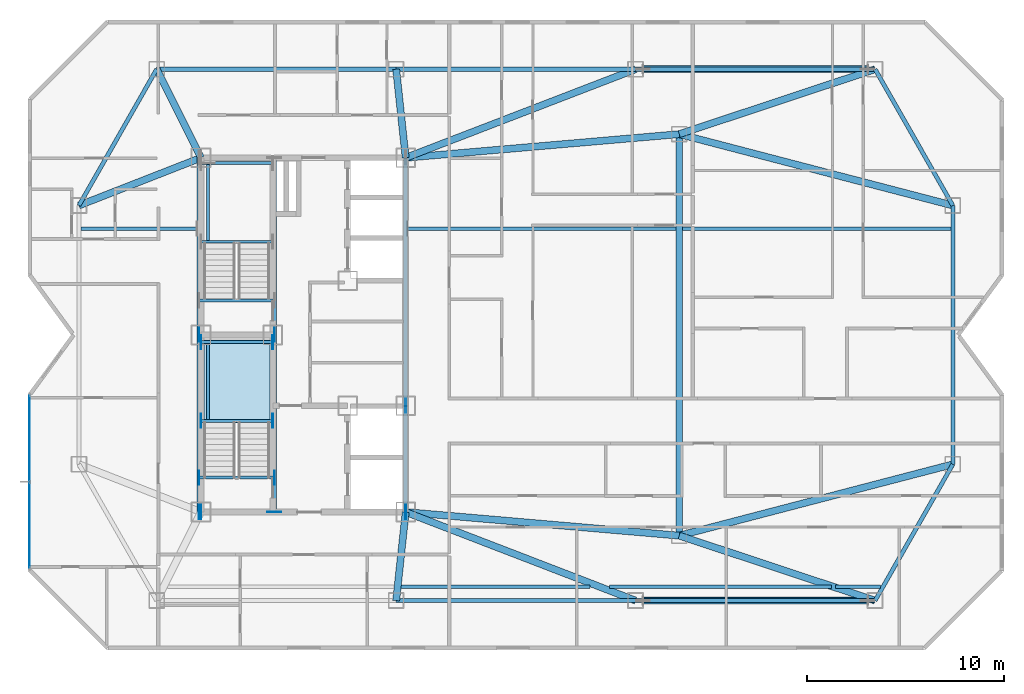
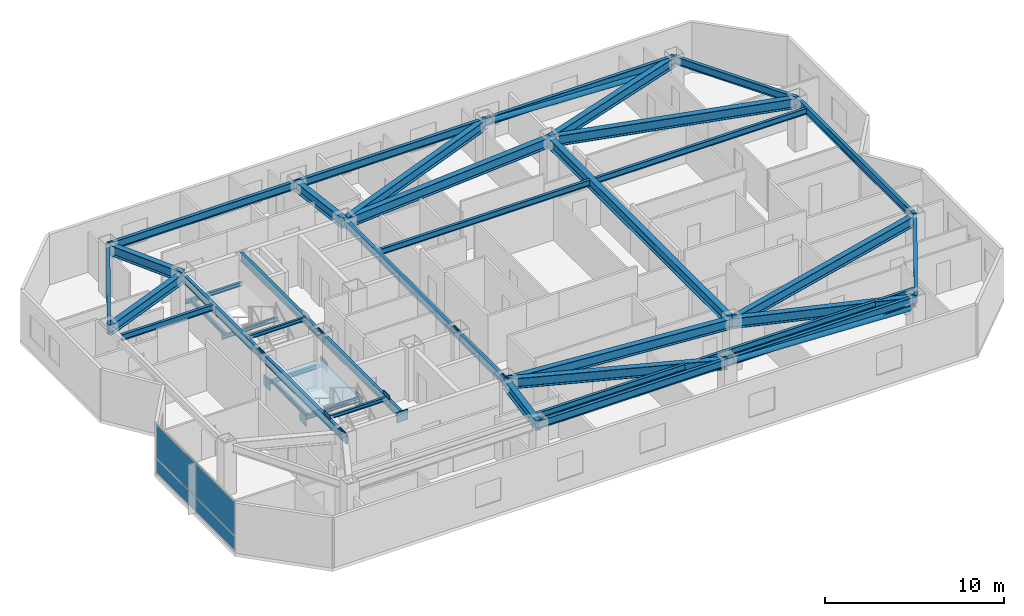
# One storey, part 5 of 14: 42 beams, 18 plates, 2 members, 1 slab, 2 elements without a shape of their own.
"""IFC4 building model written with IfcOpenShell, lengths in metres."""

from ifc_helpers import new_model, si_unit, direction, frame, origin, origin_2d, place, context, subcontext, project, spatial, polyline, rectangle, hollow_circle, i_section, outline, extrude, material, layer, layer_set, material_profile, profile_set, type_object, element, aggregate, save


model = new_model("IFC4")

# Units and contexts
model_context = context("Model", 3, precision=1e-05, world=origin(), true_north=direction((0.0, 1.0)))
body_context = subcontext(model_context, "Body", "Model", "MODEL_VIEW")
ifc_project = project(units=[si_unit("LENGTHUNIT", "METRE"), si_unit("AREAUNIT", "SQUARE_METRE"), si_unit("VOLUMEUNIT", "CUBIC_METRE"), si_unit("PLANEANGLEUNIT", "RADIAN"), si_unit("MASSUNIT", "GRAM", prefix="KILO")], contexts=[model_context])

# Site, building, storey
site_placement = place(None, origin())
site = spatial("IfcSite", under=ifc_project, at=site_placement, CompositionType="ELEMENT")
building_placement = place(site_placement, origin())
building = spatial("IfcBuilding", under=site, at=building_placement, Name="Khamvora Tower", CompositionType="ELEMENT")
storey_placement = place(building_placement, frame((0.0, 0.0, 253.699951171875)))
storey = spatial("IfcBuildingStorey", under=building, at=storey_placement, Name="L65", CompositionType="ELEMENT", Elevation=253.699951171875)

# Beams
ifc_material_1 = material(Name="Steel S355", Category="steel")
ifc_material_profile_1 = material_profile(ifc_material_1, i_section(OverallWidth=0.177978515625, OverallDepth=0.406982421875, WebThickness=0.008056640625, FlangeThickness=0.012939453125, FilletRadius=0.010009765625, at=origin_2d()), Name="W410x60")
ifc_profile_set_1 = profile_set([ifc_material_profile_1], Name="Steel S355")
beam_type_1 = type_object("IfcBeamType", Name="BM-JS-W410x60", PredefinedType="JOIST", material=ifc_profile_set_1)
beam_1_placement = place(storey_placement, frame((39.166015625, 15.199951171875, 3.22607421875), z_axis=(1.0, 0.0, 0.0), x_axis=(0.0, 1.0, 0.0)))
element("IfcBeam", 1, at=beam_1_placement, inside=storey, type_object=beam_type_1, Name="L65 secondary floor joist 02", PredefinedType="JOIST", context=body_context, shape_type="SweptSolid", body=[
    extrude(i_section(OverallWidth=0.177978515625, OverallDepth=0.406982421875, WebThickness=0.008056640625, FlangeThickness=0.012939453125, FilletRadius=0.010009765625, at=origin_2d()), origin(), (0.0, 0.0, 1.0), 9.611083984375),
])
beam_2_placement = place(storey_placement, frame((49.75390625, 15.199951171875, 3.22607421875), z_axis=(1.0, 0.0, 0.0), x_axis=(0.0, 1.0, 0.0)))
element("IfcBeam", 2, at=beam_2_placement, inside=storey, type_object=beam_type_1, Name="L65 secondary floor joist 03", PredefinedType="JOIST", context=body_context, shape_type="SweptSolid", body=[
    extrude(i_section(OverallWidth=0.177978515625, OverallDepth=0.406982421875, WebThickness=0.008056640625, FlangeThickness=0.012939453125, FilletRadius=0.010009765625, at=origin_2d()), origin(), (0.0, 0.0, 1.0), 11.2900390625),
])
beam_3_placement = place(storey_placement, frame((61.23388671875, 15.199951171875, 3.22607421875), z_axis=(1.0, 0.0, 0.0), x_axis=(0.0, 1.0, 0.0)))
element("IfcBeam", 3, at=beam_3_placement, inside=storey, type_object=beam_type_1, Name="L65 secondary floor joist 04", PredefinedType="JOIST", context=body_context, shape_type="SweptSolid", body=[
    extrude(i_section(OverallWidth=0.177978515625, OverallDepth=0.406982421875, WebThickness=0.008056640625, FlangeThickness=0.012939453125, FilletRadius=0.010009765625, at=origin_2d()), origin(), (0.0, 0.0, 1.0), 2.300048828125),
])
beam_4_placement = place(storey_placement, frame((22.89892578125, 33.39990234375, 3.22607421875), z_axis=(1.0, 0.0, 0.0), x_axis=(0.0, 1.0, 0.0)))
element("IfcBeam", 4, at=beam_4_placement, inside=storey, type_object=beam_type_1, Name="L65 secondary floor joist 05", PredefinedType="JOIST", context=body_context, shape_type="SweptSolid", body=[
    extrude(i_section(OverallWidth=0.177978515625, OverallDepth=0.406982421875, WebThickness=0.008056640625, FlangeThickness=0.012939453125, FilletRadius=0.010009765625, at=origin_2d()), origin(), (0.0, 0.0, 1.0), 5.901123046875),
])
beam_5_placement = place(storey_placement, frame((39.4990234375, 33.39990234375, 3.22607421875), z_axis=(1.0, 0.0, 0.0), x_axis=(0.0, 1.0, 0.0)))
element("IfcBeam", 5, at=beam_5_placement, inside=storey, type_object=beam_type_1, Name="L65 secondary floor joist 06", PredefinedType="JOIST", context=body_context, shape_type="SweptSolid", body=[
    extrude(i_section(OverallWidth=0.177978515625, OverallDepth=0.406982421875, WebThickness=0.008056640625, FlangeThickness=0.012939453125, FilletRadius=0.010009765625, at=origin_2d()), origin(), (0.0, 0.0, 1.0), 13.6279296875),
])
beam_6_placement = place(storey_placement, frame((53.471923828125, 33.39990234375, 3.22607421875), z_axis=(1.0, 0.0, 0.0), x_axis=(0.0, 1.0, 0.0)))
element("IfcBeam", 6, at=beam_6_placement, inside=storey, type_object=beam_type_1, Name="L65 secondary floor joist 07", PredefinedType="JOIST", context=body_context, shape_type="SweptSolid", body=[
    extrude(i_section(OverallWidth=0.177978515625, OverallDepth=0.406982421875, WebThickness=0.008056640625, FlangeThickness=0.012939453125, FilletRadius=0.010009765625, at=origin_2d()), origin(), (0.0, 0.0, 1.0), 13.628173828125),
])
ifc_material_profile_2 = material_profile(ifc_material_1, i_section(OverallWidth=0.14697265625, OverallDepth=0.261962890625, WebThickness=0.007080078125, FlangeThickness=0.010986328125, FilletRadius=0.008056640625, at=origin_2d()), Name="W250x39")
ifc_profile_set_2 = profile_set([ifc_material_profile_2], Name="Steel S355")
beam_type_2 = type_object("IfcBeamType", Name="BM-LN-W250x39", PredefinedType="LINTEL", material=ifc_profile_set_2)
for number, where, z_axis, x_axis, name in (
    (7, (29.0, 23.635009765625, 1.494140625), (1.0, 0.0, 0.0), (0.0, 1.0, 0.0), "L65 ST-01 half-landing support beam 1.1"),
    (8, (29.0, 27.6298828125, 1.494140625), (1.0, 0.0, 0.0), (0.0, 1.0, 0.0), "L65 ST-01 half-landing support beam 1.2"),
):
    element("IfcBeam", number, at=place(storey_placement, frame(where, z_axis=z_axis, x_axis=x_axis)), inside=storey, type_object=beam_type_2, Name=name, PredefinedType="LINTEL", context=body_context, shape_type="SweptSolid", body=[
        extrude(i_section(OverallWidth=0.14697265625, OverallDepth=0.261962890625, WebThickness=0.007080078125, FlangeThickness=0.010986328125, FilletRadius=0.008056640625, at=origin_2d()), origin(), (0.0, 0.0, 1.0), 3.64990234375),
    ])
beam_7_placement = place(storey_placement, frame((29.35009765625, 23.635009765625, 1.494140625), z_axis=(0.0, 1.0, 0.0), x_axis=(-1.0, 0.0, 0.0)))
element("IfcBeam", 9, at=beam_7_placement, inside=storey, type_object=beam_type_2, Name="L65 ST-01 half-landing edge stringer 1", PredefinedType="LINTEL", context=body_context, shape_type="SweptSolid", body=[
    extrude(i_section(OverallWidth=0.14697265625, OverallDepth=0.261962890625, WebThickness=0.007080078125, FlangeThickness=0.010986328125, FilletRadius=0.008056640625, at=origin_2d()), origin(), (0.0, 0.0, 1.0), 3.994873046875),
])
for number, where, z_axis, x_axis, name in (
    (10, (29.0, 32.735107421875, 1.494140625), (1.0, 0.0, 0.0), (0.0, 1.0, 0.0), "L65 ST-02 half-landing support beam 1.1"),
    (11, (29.0, 36.72998046875, 1.494140625), (1.0, 0.0, 0.0), (0.0, 1.0, 0.0), "L65 ST-02 half-landing support beam 1.2"),
):
    element("IfcBeam", number, at=place(storey_placement, frame(where, z_axis=z_axis, x_axis=x_axis)), inside=storey, type_object=beam_type_2, Name=name, PredefinedType="LINTEL", context=body_context, shape_type="SweptSolid", body=[
        extrude(i_section(OverallWidth=0.14697265625, OverallDepth=0.261962890625, WebThickness=0.007080078125, FlangeThickness=0.010986328125, FilletRadius=0.008056640625, at=origin_2d()), origin(), (0.0, 0.0, 1.0), 3.64990234375),
    ])
beam_8_placement = place(storey_placement, frame((29.35009765625, 32.735107421875, 1.494140625), z_axis=(0.0, 1.0, 0.0), x_axis=(-1.0, 0.0, 0.0)))
element("IfcBeam", 12, at=beam_8_placement, inside=storey, type_object=beam_type_2, Name="L65 ST-02 half-landing edge stringer 1", PredefinedType="LINTEL", context=body_context, shape_type="SweptSolid", body=[
    extrude(i_section(OverallWidth=0.14697265625, OverallDepth=0.261962890625, WebThickness=0.007080078125, FlangeThickness=0.010986328125, FilletRadius=0.008056640625, at=origin_2d()), origin(), (0.0, 0.0, 1.0), 3.994873046875),
])
for number, where, z_axis, x_axis, name in (
    (13, (28.89990234375, 20.75, 3.303955078125), (1.0, 0.0, 0.0), (0.0, 1.0, 0.0), "L65 exit stair ST-01 landing trimmer beam"),
    (14, (28.89990234375, 29.75, 3.303955078125), (1.0, 0.0, 0.0), (0.0, 1.0, 0.0), "L65 exit stair ST-02 landing trimmer beam"),
):
    element("IfcBeam", number, at=place(storey_placement, frame(where, z_axis=z_axis, x_axis=x_axis)), inside=storey, type_object=beam_type_2, Name=name, PredefinedType="LINTEL", context=body_context, shape_type="SweptSolid", body=[
        extrude(i_section(OverallWidth=0.14697265625, OverallDepth=0.261962890625, WebThickness=0.007080078125, FlangeThickness=0.010986328125, FilletRadius=0.008056640625, at=origin_2d()), origin(), (0.0, 0.0, 1.0), 3.830078125),
    ])
ifc_material_profile_3 = material_profile(ifc_material_1, i_section(OverallWidth=0.35498046875, OverallDepth=0.695068359375, WebThickness=0.014892578125, FlangeThickness=0.02490234375, FilletRadius=0.01611328125, at=origin_2d()), Name="W690x217")
ifc_profile_set_3 = profile_set([ifc_material_profile_3], Name="Steel S355")
beam_type_3 = type_object("IfcBeamType", Name="BM-PG-W690x217", PredefinedType="BEAM", material=ifc_profile_set_3)
beam_9_placement = place(storey_placement, frame((53.300048828125, 17.800048828125, 3.08203125), z_axis=(0.0, 1.0, 0.0), x_axis=(-1.0, 0.0, 0.0)))
element("IfcBeam", 15, at=beam_9_placement, inside=storey, type_object=beam_type_3, Name="L65 longitudinal frame girder M1-M2", PredefinedType="BEAM", context=body_context, shape_type="SweptSolid", body=[
    extrude(i_section(OverallWidth=0.35498046875, OverallDepth=0.695068359375, WebThickness=0.014892578125, FlangeThickness=0.02490234375, FilletRadius=0.01611328125, at=origin_2d()), origin(), (0.0, 0.0, 1.0), 20.39990234375),
])
beam_10_placement = place(storey_placement, frame((39.39990234375, 19.0, 3.08203125), z_axis=(-0.106700735484, -0.994291181218, 0.0), x_axis=(0.994291181218, -0.106700735484, 0.0)))
element("IfcBeam", 16, at=beam_10_placement, inside=storey, type_object=beam_type_3, Name="L65 primary floor girder S2", PredefinedType="BEAM", context=body_context, shape_type="SweptSolid", body=[
    extrude(i_section(OverallWidth=0.35498046875, OverallDepth=0.695068359375, WebThickness=0.014892578125, FlangeThickness=0.02490234375, FilletRadius=0.01611328125, at=origin_2d()), origin(), (0.0, 0.0, 1.0), 4.52587890625),
])
beam_11_placement = place(storey_placement, frame((39.39990234375, 19.0, 3.08203125), z_axis=(0.933171601475, -0.359431164759, 0.0), x_axis=(0.359431164759, 0.933171601475, 0.0)))
element("IfcBeam", 17, at=beam_11_placement, inside=storey, type_object=beam_type_3, Name="L65 primary floor girder S3", PredefinedType="BEAM", context=body_context, shape_type="SweptSolid", body=[
    extrude(i_section(OverallWidth=0.35498046875, OverallDepth=0.695068359375, WebThickness=0.014892578125, FlangeThickness=0.02490234375, FilletRadius=0.01611328125, at=origin_2d()), origin(), (0.0, 0.0, 1.0), 12.519775390625),
])
beam_12_placement = place(storey_placement, frame((53.300048828125, 17.800048828125, 3.08203125), z_axis=(0.949157330029, -0.314802101092, 0.0), x_axis=(0.314802101092, 0.949157330029, 0.0)))
element("IfcBeam", 18, at=beam_12_placement, inside=storey, type_object=beam_type_3, Name="L65 primary floor girder S4", PredefinedType="BEAM", context=body_context, shape_type="SweptSolid", body=[
    extrude(i_section(OverallWidth=0.35498046875, OverallDepth=0.695068359375, WebThickness=0.014892578125, FlangeThickness=0.02490234375, FilletRadius=0.01611328125, at=origin_2d()), origin(), (0.0, 0.0, 1.0), 10.48291015625),
])
beam_13_placement = place(storey_placement, frame((29.0, 37.0, 3.08203125), z_axis=(-0.4472135955, 0.894427191, 0.0), x_axis=(-0.894427191, -0.4472135955, 0.0)))
element("IfcBeam", 19, at=beam_13_placement, inside=storey, type_object=beam_type_3, Name="L65 primary floor girder N1", PredefinedType="BEAM", context=body_context, shape_type="SweptSolid", body=[
    extrude(i_section(OverallWidth=0.35498046875, OverallDepth=0.695068359375, WebThickness=0.014892578125, FlangeThickness=0.02490234375, FilletRadius=0.01611328125, at=origin_2d()), origin(), (0.0, 0.0, 1.0), 5.03125),
])
beam_14_placement = place(storey_placement, frame((39.39990234375, 37.0, 3.08203125), z_axis=(-0.106700735484, 0.994291181218, 0.0), x_axis=(-0.994291181218, -0.106700735484, 0.0)))
element("IfcBeam", 20, at=beam_14_placement, inside=storey, type_object=beam_type_3, Name="L65 primary floor girder N2", PredefinedType="BEAM", context=body_context, shape_type="SweptSolid", body=[
    extrude(i_section(OverallWidth=0.35498046875, OverallDepth=0.695068359375, WebThickness=0.014892578125, FlangeThickness=0.02490234375, FilletRadius=0.01611328125, at=origin_2d()), origin(), (0.0, 0.0, 1.0), 4.52587890625),
])
beam_15_placement = place(storey_placement, frame((39.39990234375, 37.0, 3.08203125), z_axis=(0.933171601475, 0.359431164759, 0.0), x_axis=(-0.359431164759, 0.933171601475, 0.0)))
element("IfcBeam", 21, at=beam_15_placement, inside=storey, type_object=beam_type_3, Name="L65 primary floor girder N3", PredefinedType="BEAM", context=body_context, shape_type="SweptSolid", body=[
    extrude(i_section(OverallWidth=0.35498046875, OverallDepth=0.695068359375, WebThickness=0.014892578125, FlangeThickness=0.02490234375, FilletRadius=0.01611328125, at=origin_2d()), origin(), (0.0, 0.0, 1.0), 12.519775390625),
])
beam_16_placement = place(storey_placement, frame((53.300048828125, 38.199951171875, 3.08203125), z_axis=(0.949157330029, 0.314802101092, 0.0), x_axis=(-0.314802101092, 0.949157330029, 0.0)))
element("IfcBeam", 22, at=beam_16_placement, inside=storey, type_object=beam_type_3, Name="L65 primary floor girder N4", PredefinedType="BEAM", context=body_context, shape_type="SweptSolid", body=[
    extrude(i_section(OverallWidth=0.35498046875, OverallDepth=0.695068359375, WebThickness=0.014892578125, FlangeThickness=0.02490234375, FilletRadius=0.01611328125, at=origin_2d()), origin(), (0.0, 0.0, 1.0), 10.48291015625),
])
beam_17_placement = place(storey_placement, frame((29.0, 37.0, 3.08203125), z_axis=(-0.931294712743, -0.36426660294, 0.0), x_axis=(0.36426660294, -0.931294712743, 0.0)))
element("IfcBeam", 23, at=beam_17_placement, inside=storey, type_object=beam_type_3, Name="L65 primary floor girder W2", PredefinedType="BEAM", context=body_context, shape_type="SweptSolid", body=[
    extrude(i_section(OverallWidth=0.35498046875, OverallDepth=0.695068359375, WebThickness=0.014892578125, FlangeThickness=0.02490234375, FilletRadius=0.01611328125, at=origin_2d()), origin(), (0.0, 0.0, 1.0), 6.6572265625),
])
for number, where, z_axis, x_axis, name in (
    (24, (53.300048828125, 17.800048828125, 3.08203125), (0.967635318494, 0.252352710314, 0.0), (-0.252352710314, 0.967635318494, 0.0), "L65 primary floor girder E1"),
    (25, (53.300048828125, 38.199951171875, 3.08203125), (0.967635318494, -0.252352710314, 0.0), (0.252352710314, 0.967635318494, 0.0), "L65 primary floor girder E2"),
):
    element("IfcBeam", number, at=place(storey_placement, frame(where, z_axis=z_axis, x_axis=x_axis)), inside=storey, type_object=beam_type_3, Name=name, PredefinedType="BEAM", context=body_context, shape_type="SweptSolid", body=[
        extrude(i_section(OverallWidth=0.35498046875, OverallDepth=0.695068359375, WebThickness=0.014892578125, FlangeThickness=0.02490234375, FilletRadius=0.01611328125, at=origin_2d()), origin(), (0.0, 0.0, 1.0), 14.36474609375),
    ])
for number, where, z_axis, x_axis, name in (
    (26, (39.39990234375, 19.0, 3.08203125), (0.996294564212, -0.08600663534, 0.0), (0.08600663534, 0.996294564212, 0.0), "L65 primary floor girder M1"),
    (27, (39.39990234375, 37.0, 3.08203125), (0.996294564212, 0.08600663534, 0.0), (-0.08600663534, 0.996294564212, 0.0), "L65 primary floor girder M2"),
):
    element("IfcBeam", number, at=place(storey_placement, frame(where, z_axis=z_axis, x_axis=x_axis)), inside=storey, type_object=beam_type_3, Name=name, PredefinedType="BEAM", context=body_context, shape_type="SweptSolid", body=[
        extrude(i_section(OverallWidth=0.35498046875, OverallDepth=0.695068359375, WebThickness=0.014892578125, FlangeThickness=0.02490234375, FilletRadius=0.01611328125, at=origin_2d()), origin(), (0.0, 0.0, 1.0), 13.951904296875),
    ])
ifc_material_profile_4 = material_profile(ifc_material_1, i_section(OverallWidth=0.208984375, OverallDepth=0.532958984375, WebThickness=0.010009765625, FlangeThickness=0.01611328125, FilletRadius=0.013916015625, at=origin_2d()), Name="W530x92")
ifc_profile_set_4 = profile_set([ifc_material_profile_4], Name="Steel S355")
beam_type_4 = type_object("IfcBeamType", Name="BM-SP-W530x92", PredefinedType="SPANDREL", material=ifc_profile_set_4)
beam_18_placement = place(storey_placement, frame((38.9169921875, 14.5, 3.1630859375), z_axis=(1.0, 0.0, 0.0), x_axis=(0.0, 1.0, 0.0)))
element("IfcBeam", 28, at=beam_18_placement, inside=storey, type_object=beam_type_4, Name="L65 perimeter spandrel beam S2-S3", PredefinedType="SPANDREL", context=body_context, shape_type="SweptSolid", body=[
    extrude(i_section(OverallWidth=0.208984375, OverallDepth=0.532958984375, WebThickness=0.010009765625, FlangeThickness=0.01611328125, FilletRadius=0.013916015625, at=origin_2d()), origin(), (0.0, 0.0, 1.0), 12.166015625),
])
beam_19_placement = place(storey_placement, frame((51.0830078125, 14.5, 3.1630859375), z_axis=(1.0, 0.0, 0.0), x_axis=(0.0, 1.0, 0.0)))
element("IfcBeam", 29, at=beam_19_placement, inside=storey, type_object=beam_type_4, Name="L65 perimeter spandrel beam S3-S4", PredefinedType="SPANDREL", context=body_context, shape_type="SweptSolid", body=[
    extrude(i_section(OverallWidth=0.208984375, OverallDepth=0.532958984375, WebThickness=0.010009765625, FlangeThickness=0.01611328125, FilletRadius=0.013916015625, at=origin_2d()), origin(), (0.0, 0.0, 1.0), 12.1669921875),
])
beam_20_placement = place(storey_placement, frame((63.25, 14.5, 3.1630859375), z_axis=(0.495456118564, 0.868632968853, 0.0), x_axis=(-0.868632968853, 0.495456118564, 0.0)))
element("IfcBeam", 30, at=beam_20_placement, inside=storey, type_object=beam_type_4, Name="L65 perimeter spandrel beam S4-E1", PredefinedType="SPANDREL", context=body_context, shape_type="SweptSolid", body=[
    extrude(i_section(OverallWidth=0.208984375, OverallDepth=0.532958984375, WebThickness=0.010009765625, FlangeThickness=0.01611328125, FilletRadius=0.013916015625, at=origin_2d()), origin(), (0.0, 0.0, 1.0), 7.972412109375),
])
beam_21_placement = place(storey_placement, frame((67.199951171875, 21.425048828125, 3.1630859375), z_axis=(0.0, 1.0, 0.0), x_axis=(-1.0, 0.0, 0.0)))
element("IfcBeam", 31, at=beam_21_placement, inside=storey, type_object=beam_type_4, Name="L65 perimeter spandrel beam E1-E2", PredefinedType="SPANDREL", context=body_context, shape_type="SweptSolid", body=[
    extrude(i_section(OverallWidth=0.208984375, OverallDepth=0.532958984375, WebThickness=0.010009765625, FlangeThickness=0.01611328125, FilletRadius=0.013916015625, at=origin_2d()), origin(), (0.0, 0.0, 1.0), 13.14990234375),
])
beam_22_placement = place(storey_placement, frame((67.199951171875, 34.574951171875, 3.1630859375), z_axis=(-0.495456118564, 0.868632968853, 0.0), x_axis=(-0.868632968853, -0.495456118564, 0.0)))
element("IfcBeam", 32, at=beam_22_placement, inside=storey, type_object=beam_type_4, Name="L65 perimeter spandrel beam E2-N4", PredefinedType="SPANDREL", context=body_context, shape_type="SweptSolid", body=[
    extrude(i_section(OverallWidth=0.208984375, OverallDepth=0.532958984375, WebThickness=0.010009765625, FlangeThickness=0.01611328125, FilletRadius=0.013916015625, at=origin_2d()), origin(), (0.0, 0.0, 1.0), 7.972412109375),
])
beam_23_placement = place(storey_placement, frame((63.25, 41.5, 3.1630859375), z_axis=(-1.0, 0.0, 0.0), x_axis=(0.0, -1.0, 0.0)))
element("IfcBeam", 33, at=beam_23_placement, inside=storey, type_object=beam_type_4, Name="L65 perimeter spandrel beam N4-N3", PredefinedType="SPANDREL", context=body_context, shape_type="SweptSolid", body=[
    extrude(i_section(OverallWidth=0.208984375, OverallDepth=0.532958984375, WebThickness=0.010009765625, FlangeThickness=0.01611328125, FilletRadius=0.013916015625, at=origin_2d()), origin(), (0.0, 0.0, 1.0), 12.1669921875),
])
beam_24_placement = place(storey_placement, frame((51.0830078125, 41.5, 3.1630859375), z_axis=(-1.0, 0.0, 0.0), x_axis=(0.0, -1.0, 0.0)))
element("IfcBeam", 34, at=beam_24_placement, inside=storey, type_object=beam_type_4, Name="L65 perimeter spandrel beam N3-N2", PredefinedType="SPANDREL", context=body_context, shape_type="SweptSolid", body=[
    extrude(i_section(OverallWidth=0.208984375, OverallDepth=0.532958984375, WebThickness=0.010009765625, FlangeThickness=0.01611328125, FilletRadius=0.013916015625, at=origin_2d()), origin(), (0.0, 0.0, 1.0), 12.166015625),
])
beam_25_placement = place(storey_placement, frame((38.9169921875, 41.5, 3.1630859375), z_axis=(-1.0, 0.0, 0.0), x_axis=(0.0, -1.0, 0.0)))
element("IfcBeam", 35, at=beam_25_placement, inside=storey, type_object=beam_type_4, Name="L65 perimeter spandrel beam N2-N1", PredefinedType="SPANDREL", context=body_context, shape_type="SweptSolid", body=[
    extrude(i_section(OverallWidth=0.208984375, OverallDepth=0.532958984375, WebThickness=0.010009765625, FlangeThickness=0.01611328125, FilletRadius=0.013916015625, at=origin_2d()), origin(), (0.0, 0.0, 1.0), 12.1669921875),
])
beam_26_placement = place(storey_placement, frame((26.75, 41.5, 3.1630859375), z_axis=(-0.495456118564, -0.868632968853, 0.0), x_axis=(0.868632968853, -0.495456118564, 0.0)))
element("IfcBeam", 36, at=beam_26_placement, inside=storey, type_object=beam_type_4, Name="L65 perimeter spandrel beam N1-W2", PredefinedType="SPANDREL", context=body_context, shape_type="SweptSolid", body=[
    extrude(i_section(OverallWidth=0.208984375, OverallDepth=0.532958984375, WebThickness=0.010009765625, FlangeThickness=0.01611328125, FilletRadius=0.013916015625, at=origin_2d()), origin(), (0.0, 0.0, 1.0), 7.972412109375),
])
for number, where, z_axis, x_axis, name in (
    (37, (28.89990234375, 19.0, 3.1630859375), (0.0, 1.0, 0.0), (-1.0, 0.0, 0.0), "L65 core spine girder WS"),
    (38, (28.89990234375, 28.0, 3.1630859375), (0.0, 1.0, 0.0), (-1.0, 0.0, 0.0), "L65 core spine girder WN"),
    (39, (32.72998046875, 19.0, 3.1630859375), (0.0, 1.0, 0.0), (-1.0, 0.0, 0.0), "L65 core spine girder M1S"),
    (40, (32.72998046875, 28.0, 3.1630859375), (0.0, 1.0, 0.0), (-1.0, 0.0, 0.0), "L65 core spine girder M1N"),
):
    element("IfcBeam", number, at=place(storey_placement, frame(where, z_axis=z_axis, x_axis=x_axis)), inside=storey, type_object=beam_type_4, Name=name, PredefinedType="SPANDREL", context=body_context, shape_type="SweptSolid", body=[
        extrude(i_section(OverallWidth=0.208984375, OverallDepth=0.532958984375, WebThickness=0.010009765625, FlangeThickness=0.01611328125, FilletRadius=0.013916015625, at=origin_2d()), origin(), (0.0, 0.0, 1.0), 9.0),
    ])
beam_27_placement = place(storey_placement, frame((39.39990234375, 19.0, 3.1630859375), z_axis=(0.0, 1.0, 0.0), x_axis=(-1.0, 0.0, 0.0)))
element("IfcBeam", 41, at=beam_27_placement, inside=storey, type_object=beam_type_4, Name="L65 core spine girder ES", PredefinedType="SPANDREL", context=body_context, shape_type="SweptSolid", body=[
    extrude(i_section(OverallWidth=0.208984375, OverallDepth=0.532958984375, WebThickness=0.010009765625, FlangeThickness=0.01611328125, FilletRadius=0.013916015625, at=origin_2d()), origin(), (0.0, 0.0, 1.0), 5.39990234375),
])
beam_28_placement = place(storey_placement, frame((39.39990234375, 24.39990234375, 3.1630859375), z_axis=(0.0, 1.0, 0.0), x_axis=(-1.0, 0.0, 0.0)))
element("IfcBeam", 42, at=beam_28_placement, inside=storey, type_object=beam_type_4, Name="L65 core spine girder EN", PredefinedType="SPANDREL", context=body_context, shape_type="SweptSolid", body=[
    extrude(i_section(OverallWidth=0.208984375, OverallDepth=0.532958984375, WebThickness=0.010009765625, FlangeThickness=0.01611328125, FilletRadius=0.013916015625, at=origin_2d()), origin(), (0.0, 0.0, 1.0), 12.60009765625),
])

# Members
ifc_material_profile_5 = material_profile(ifc_material_1, hollow_circle(Radius=0.177978515625, WallThickness=0.013916015625, at=origin_2d()), Name="CHS356x14")
ifc_profile_set_5 = profile_set([ifc_material_profile_5], Name="Steel S355")
member_type = type_object("IfcMemberType", Name="MEM-BR-CHS356", PredefinedType="BRACE", material=ifc_profile_set_5)
for number, where, z_axis, x_axis, name in (
    (43, (62.8701171875, 14.5, 2.695068359375), (-0.999212836813, 0.0, 0.039669972868), (0.0, -1.0, 0.0), "L65 perimeter wind brace 1"),
    (44, (62.8701171875, 41.5, 2.695068359375), (-0.999212836813, 0.0, 0.039669972868), (0.0, -1.0, 0.0), "L65 perimeter wind brace 2"),
):
    element("IfcMember", number, at=place(storey_placement, frame(where, z_axis=z_axis, x_axis=x_axis)), inside=storey, type_object=member_type, Name=name, PredefinedType="BRACE", context=body_context, shape_type="SweptSolid", body=[
        extrude(hollow_circle(Radius=0.177978515625, WallThickness=0.013916015625, at=origin_2d()), origin(), (0.0, 0.0, 1.0), 11.416259765625),
    ])

# Curtain wall, plates
ifc_material_2 = material(Name="Anodised Aluminium 6063-T6", Category="aluminium")
curtain_wall_type = type_object("IfcCurtainWallType", Name="CW-SYS-05", PredefinedType="NOTDEFINED", material=ifc_material_2)
curtain_wall_placement = place(storey_placement, origin())
curtain_wall = element("IfcCurtainWall", 45, at=curtain_wall_placement, inside=storey, type_object=curtain_wall_type, Name="L65 stick curtain wall 02.1", PredefinedType="NOTDEFINED")
ifc_material_3 = material(Name="Low-E Laminated Double Glazing", Category="glass")
ifc_layer_1 = layer(ifc_material_3, 0.02587890625)
ifc_layer_set_1 = layer_set([ifc_layer_1], Name="Low-E Laminated Double Glazing")
plate_type_1 = type_object("IfcPlateType", Name="CW-SYS-05-PNL", PredefinedType="CURTAIN_PANEL", material=ifc_layer_set_1)
plate_1_placement = place(storey_placement, frame((20.300048828125, 18.334716796875, 0.06005859375), z_axis=(0.0, 0.0, 1.0), x_axis=(0.0, 1.0, 0.0)))
plate_1 = element("IfcPlate", 46, at=plate_1_placement, type_object=plate_type_1, Name="CW-05 panel 1.1", PredefinedType="CURTAIN_PANEL", context=body_context, shape_type="SweptSolid", body=[
    extrude(rectangle(XDim=4.341552734375, YDim=0.02587890625, at=origin_2d()), origin(), (0.0, 0.0, 1.0), 0.9599609375),
])
plate_2_placement = place(storey_placement, frame((20.300048828125, 18.334716796875, 1.080078125), z_axis=(0.0, 0.0, 1.0), x_axis=(0.0, 1.0, 0.0)))
plate_2 = element("IfcPlate", 47, at=plate_2_placement, type_object=plate_type_1, Name="CW-05 panel 1.2", PredefinedType="CURTAIN_PANEL", context=body_context, shape_type="SweptSolid", body=[
    extrude(rectangle(XDim=4.341552734375, YDim=0.02587890625, at=origin_2d()), origin(), (0.0, 0.0, 1.0), 2.2900390625),
])
plate_3_placement = place(storey_placement, frame((20.300048828125, 22.736328125, 0.06005859375), z_axis=(0.0, 0.0, 1.0), x_axis=(0.0, 1.0, 0.0)))
plate_3 = element("IfcPlate", 48, at=plate_3_placement, type_object=plate_type_1, Name="CW-05 panel 2.1", PredefinedType="CURTAIN_PANEL", context=body_context, shape_type="SweptSolid", body=[
    extrude(rectangle(XDim=4.341552734375, YDim=0.02587890625, at=origin_2d()), origin(), (0.0, 0.0, 1.0), 0.9599609375),
])
plate_4_placement = place(storey_placement, frame((20.300048828125, 22.736328125, 1.080078125), z_axis=(0.0, 0.0, 1.0), x_axis=(0.0, 1.0, 0.0)))
plate_4 = element("IfcPlate", 49, at=plate_4_placement, type_object=plate_type_1, Name="CW-05 panel 2.2", PredefinedType="CURTAIN_PANEL", context=body_context, shape_type="SweptSolid", body=[
    extrude(rectangle(XDim=4.341552734375, YDim=0.02587890625, at=origin_2d()), origin(), (0.0, 0.0, 1.0), 2.2900390625),
])
aggregate(curtain_wall, [plate_1, plate_2, plate_3, plate_4])

# Plates
ifc_material_4 = material(Name="Steel S460", Category="steel")
ifc_layer_2 = layer(ifc_material_4, 0.034912109375)
ifc_layer_set_2 = layer_set([ifc_layer_2], Name="Steel S460")
plate_type_2 = type_object("IfcPlateType", Name="PL-EMB-35", PredefinedType="SHEET", material=ifc_layer_set_2)
for number, where, z_axis, x_axis, name in (
    (50, (29.0, 23.635009765625, 1.13427734375), (0.0, 0.0, 1.0), (1.0, 0.0, 0.0), "L65 core shear wall cast-in embed plate 1888"),
    (51, (32.64990234375, 23.635009765625, 1.13427734375), (0.0, 0.0, 1.0), (1.0, 0.0, 0.0), "L65 core shear wall cast-in embed plate 1889"),
    (52, (29.0, 27.6298828125, 1.13427734375), (0.0, 0.0, 1.0), (1.0, 0.0, 0.0), "L65 core shear wall cast-in embed plate 1890"),
    (53, (32.64990234375, 27.6298828125, 1.13427734375), (0.0, 0.0, 1.0), (1.0, 0.0, 0.0), "L65 core shear wall cast-in embed plate 1891"),
    (54, (29.0, 19.0, 2.72216796875), (0.0, 0.0, 1.0), (1.0, 0.0, 0.0), "L65 core shear wall cast-in embed plate 1897"),
    (55, (39.39990234375, 19.0, 2.72216796875), (0.0, 0.0, 1.0), (1.0, 0.0, 0.0), "L65 core shear wall cast-in embed plate 1898"),
    (56, (28.89990234375, 19.0, 2.80322265625), (0.0, 0.0, 1.0), (1.0, 0.0, 0.0), "L65 core shear wall cast-in embed plate 1901"),
    (57, (28.89990234375, 28.0, 2.80322265625), (0.0, 0.0, 1.0), (1.0, 0.0, 0.0), "L65 core shear wall cast-in embed plate 1902"),
):
    element("IfcPlate", number, at=place(storey_placement, frame(where, z_axis=z_axis, x_axis=x_axis)), inside=storey, type_object=plate_type_2, Name=name, PredefinedType="SHEET", context=body_context, shape_type="SweptSolid", body=[
        extrude(rectangle(XDim=0.034912109375, YDim=0.719970703125, at=origin_2d()), origin(), (0.0, 0.0, 1.0), 0.719970703125),
    ])
plate_5_placement = place(storey_placement, frame((32.72998046875, 19.0, 2.80322265625), z_axis=(0.0, 0.0, 1.0), x_axis=(1.0, 0.0, 0.0)))
element("IfcPlate", 58, at=plate_5_placement, inside=storey, type_object=plate_type_2, Name="L65 core shear wall cast-in embed plate 1904", PredefinedType="SHEET", context=body_context, shape_type="SweptSolid", body=[
    extrude(rectangle(XDim=0.719970703125, YDim=0.034912109375, at=origin_2d()), origin(), (0.0, 0.0, 1.0), 0.719970703125),
])
for number, where, z_axis, x_axis, name in (
    (59, (32.72998046875, 28.0, 2.80322265625), (0.0, 0.0, 1.0), (1.0, 0.0, 0.0), "L65 core shear wall cast-in embed plate 1905"),
    (60, (39.39990234375, 19.0, 2.80322265625), (0.0, 0.0, 1.0), (1.0, 0.0, 0.0), "L65 core shear wall cast-in embed plate 1907"),
    (61, (39.39990234375, 24.39990234375, 2.80322265625), (0.0, 0.0, 1.0), (1.0, 0.0, 0.0), "L65 core shear wall cast-in embed plate 1908"),
    (62, (28.89990234375, 20.75, 2.94384765625), (0.0, 0.0, 1.0), (1.0, 0.0, 0.0), "L65 core shear wall cast-in embed plate 1910"),
    (63, (32.72998046875, 20.75, 2.94384765625), (0.0, 0.0, 1.0), (1.0, 0.0, 0.0), "L65 core shear wall cast-in embed plate 1911"),
):
    element("IfcPlate", number, at=place(storey_placement, frame(where, z_axis=z_axis, x_axis=x_axis)), inside=storey, type_object=plate_type_2, Name=name, PredefinedType="SHEET", context=body_context, shape_type="SweptSolid", body=[
        extrude(rectangle(XDim=0.034912109375, YDim=0.719970703125, at=origin_2d()), origin(), (0.0, 0.0, 1.0), 0.719970703125),
    ])

# Stair, slab
ifc_material_5 = material(Name="Concrete C40/50", Category="concrete")
stair_type = type_object("IfcStairType", Name="STR-ST-01", PredefinedType="HALF_TURN_STAIR", material=ifc_material_5)
stair_placement = place(storey_placement, origin())
stair = element("IfcStair", 64, at=stair_placement, inside=storey, type_object=stair_type, Name="L65 South Tower Exit Stair ST-01", PredefinedType="HALF_TURN_STAIR")
ifc_layer_3 = layer(ifc_material_5, 0.199951171875)
ifc_layer_set_3 = layer_set([ifc_layer_3], Name="Concrete C40/50")
slab_type = type_object("IfcSlabType", Name="SLB-LND-200", PredefinedType="LANDING", material=ifc_layer_set_3)
slab_placement = place(storey_placement, frame((0.0, 0.0, 1.625)))
slab = element("IfcSlab", 65, at=slab_placement, type_object=slab_type, Name="ST-01 landing 1", PredefinedType="LANDING", context=body_context, shape_type="SweptSolid", body=[
    extrude(outline(polyline([(32.5, 23.514892578125), (32.5, 27.75), (29.14990234375, 27.75), (29.14990234375, 23.514892578125), (32.5, 23.514892578125)])), origin(), (0.0, 0.0, 1.0), 0.199951171875),
])
aggregate(stair, [slab])

save(model, "model.ifc")
